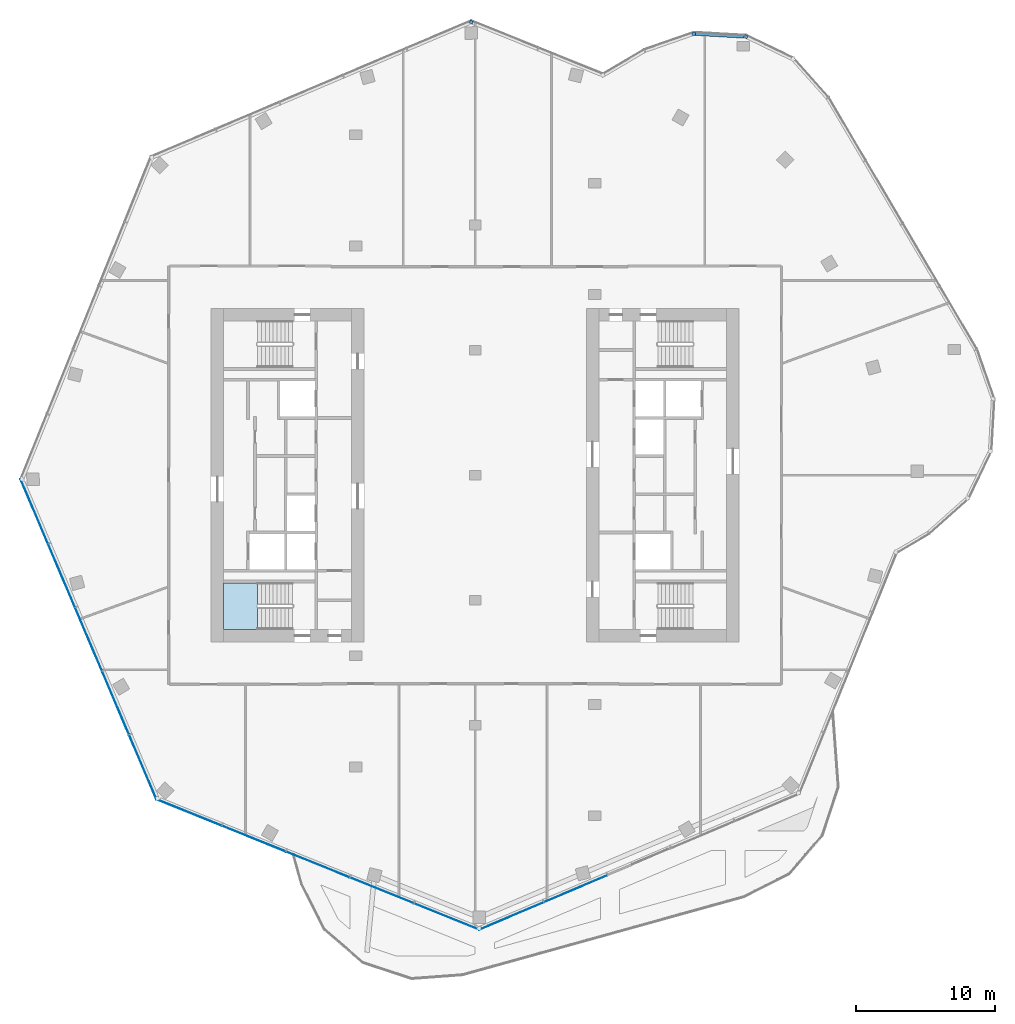
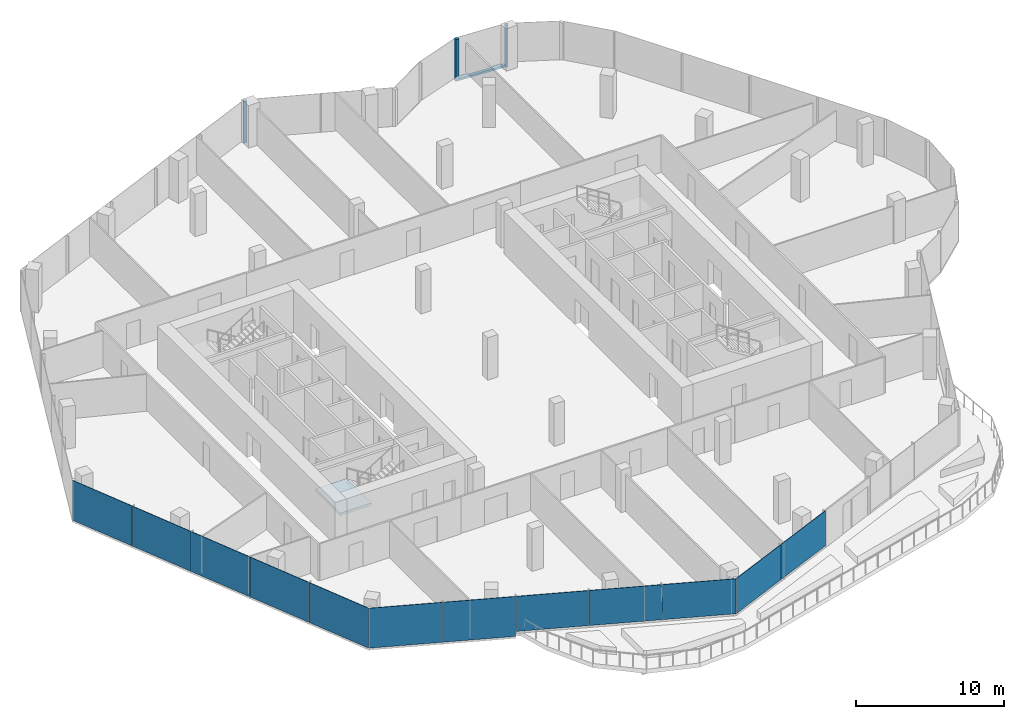
# One storey, part 10 of 17: 12 plates, 4 members, 1 slab, 7 elements without a shape of their own.
"""IFC4 building model written with IfcOpenShell, lengths in metres."""

from ifc_helpers import new_model, si_unit, direction, frame, origin, origin_2d, place, context, subcontext, project, spatial, polyline, rectangle, outline, extrude, material, layer, layer_set, material_profile, profile_set, type_object, element, aggregate, save


model = new_model("IFC4")

# Units and contexts
model_context = context("Model", 3, precision=1e-05, world=origin(), true_north=direction((0.0, 1.0)))
body_context = subcontext(model_context, "Body", "Model", "MODEL_VIEW")
ifc_project = project(units=[si_unit("LENGTHUNIT", "METRE"), si_unit("AREAUNIT", "SQUARE_METRE"), si_unit("VOLUMEUNIT", "CUBIC_METRE"), si_unit("PLANEANGLEUNIT", "RADIAN"), si_unit("MASSUNIT", "GRAM", prefix="KILO")], contexts=[model_context])

# Site, building, storey
site_placement = place(None, origin())
site = spatial("IfcSite", under=ifc_project, at=site_placement, CompositionType="ELEMENT")
building_placement = place(site_placement, origin())
building = spatial("IfcBuilding", under=site, at=building_placement, Name="Orlundy Tower", CompositionType="ELEMENT")
storey_placement = place(building_placement, frame((0.0, 0.0, 296.39990234375)))
storey = spatial("IfcBuildingStorey", under=building, at=storey_placement, Name="L79", CompositionType="ELEMENT", Elevation=296.39990234375)

# Curtain wall, member
ifc_material_1 = material(Name="Aluminium bronze anodised", Category="aluminium")
curtain_wall_type = type_object("IfcCurtainWallType", Name="CW6 wall", PredefinedType="NOTDEFINED", material=ifc_material_1)
curtain_wall_1_placement = place(storey_placement, origin())
curtain_wall_1 = element("IfcCurtainWall", 1, at=curtain_wall_1_placement, inside=storey, type_object=curtain_wall_type, Name="CW6 run 07", PredefinedType="NOTDEFINED")
ifc_material_2 = material(Name="Aluminium bronze anodised", Category="aluminium")
ifc_material_profile_1 = material_profile(ifc_material_2, rectangle(XDim=0.239990234375, YDim=0.239990234375, at=origin_2d()), Name="CW6 corner post 240x240")
ifc_profile_set_1 = profile_set([ifc_material_profile_1], Name="Aluminium bronze anodised")
member_type_1 = type_object("IfcMemberType", Name="CW6 corner post 240x240", PredefinedType="MULLION", material=ifc_profile_set_1)
member_1_placement = place(storey_placement, frame((-0.2841796875, 32.600830078125, -0.39990234375), z_axis=(0.0, 0.0, 1.0), x_axis=(0.374639101319, 0.927170719858, 0.0)))
member_1 = element("IfcMember", 2, at=member_1_placement, type_object=member_type_1, Name="CW6 mullion 31", PredefinedType="MULLION", context=body_context, shape_type="SweptSolid", body=[
    extrude(rectangle(XDim=0.239990234375, YDim=0.239990234375, at=origin_2d()), origin(), (0.0, 0.0, 1.0), 3.449951171875),
])
aggregate(curtain_wall_1, [member_1])

curtain_wall_2_placement = place(storey_placement, origin())
curtain_wall_2 = element("IfcCurtainWall", 3, at=curtain_wall_2_placement, inside=storey, type_object=curtain_wall_type, Name="CW6 run 010", PredefinedType="NOTDEFINED")
member_2_placement = place(storey_placement, frame((15.73388671875, 31.772216796875, -0.39990234375), z_axis=(0.0, 0.0, 1.0), x_axis=(0.056650299193, 0.998394082315, 0.0)))
member_2 = element("IfcMember", 4, at=member_2_placement, type_object=member_type_1, Name="CW6 mullion 35", PredefinedType="MULLION", context=body_context, shape_type="SweptSolid", body=[
    extrude(rectangle(XDim=0.239990234375, YDim=0.239990234375, at=origin_2d()), origin(), (0.0, 0.0, 1.0), 3.449951171875),
])

curtain_wall_3_placement = place(storey_placement, origin())
curtain_wall_3 = element("IfcCurtainWall", 5, at=curtain_wall_3_placement, inside=storey, type_object=curtain_wall_type, Name="CW6 run 011", PredefinedType="NOTDEFINED")
member_3_placement = place(storey_placement, frame((19.482666015625, 31.5595703125, -0.39990234375), z_axis=(0.0, 0.0, 1.0), x_axis=(0.434650977101, 0.900598982958, 0.0)))
member_3 = element("IfcMember", 6, at=member_3_placement, type_object=member_type_1, Name="CW6 mullion 36", PredefinedType="MULLION", context=body_context, shape_type="SweptSolid", body=[
    extrude(rectangle(XDim=0.239990234375, YDim=0.239990234375, at=origin_2d()), origin(), (0.0, 0.0, 1.0), 3.449951171875),
])
aggregate(curtain_wall_3, [member_3])

# Member
ifc_material_3 = material(Name="Aluminium bronze anodised", Category="aluminium")
ifc_material_profile_2 = material_profile(ifc_material_3, rectangle(XDim=0.239990234375, YDim=0.159912109375, at=origin_2d()), Name="CW6 transom 240x160")
ifc_profile_set_2 = profile_set([ifc_material_profile_2], Name="Aluminium bronze anodised")
member_type_2 = type_object("IfcMemberType", Name="CW6 transom 240x160", PredefinedType="USERDEFINED", material=ifc_profile_set_2)
member_4_placement = place(storey_placement, frame((15.853759765625, 31.765380859375, -0.31982421875), z_axis=(0.998395164741, -0.056631219489, 0.0), x_axis=(0.056631219489, 0.998395164741, 0.0)))
member_4 = element("IfcMember", 7, at=member_4_placement, type_object=member_type_2, Name="CW6 transom", ObjectType="TRANSOM", PredefinedType="USERDEFINED", context=body_context, shape_type="SweptSolid", body=[
    extrude(rectangle(XDim=0.239990234375, YDim=0.159912109375, at=origin_2d()), origin(), (0.0, 0.0, 1.0), 3.5048828125),
])

aggregate(curtain_wall_2, [member_2, member_4])

# Curtain wall, plates
curtain_wall_4_placement = place(storey_placement, origin())
curtain_wall_4 = element("IfcCurtainWall", 8, at=curtain_wall_4_placement, inside=storey, type_object=curtain_wall_type, Name="CW6 run 02", PredefinedType="NOTDEFINED")
ifc_material_4 = material(Name="Tinted glass", Category="glass")
ifc_layer_1 = layer(ifc_material_4, 0.035888671875)
ifc_layer_set_1 = layer_set([ifc_layer_1], Name="CW6 glass panel 36")
plate_type = type_object("IfcPlateType", Name="CW6 glass panel 36", PredefinedType="CURTAIN_PANEL", material=ifc_layer_set_1)
plate_1_placement = place(storey_placement, frame((7.233154296875, -29.761962890625, 0.16015625), z_axis=(0.0, 0.0, 1.0), x_axis=(-0.920506804854, -0.390726531244, 0.0)))
plate_1 = element("IfcPlate", 9, at=plate_1_placement, type_object=plate_type, Name="CW6 panel", PredefinedType="CURTAIN_PANEL", context=body_context, shape_type="SweptSolid", body=[
    extrude(rectangle(XDim=4.920654296875, YDim=0.035888671875, at=origin_2d()), origin(), (0.0, 0.0, 1.0), 2.889892578125),
])
plate_2_placement = place(storey_placement, frame((2.603759765625, -31.72705078125, 0.16015625), z_axis=(0.0, 0.0, 1.0), x_axis=(-0.920506804854, -0.390726531244, 0.0)))
plate_2 = element("IfcPlate", 10, at=plate_2_placement, type_object=plate_type, Name="CW6 panel", PredefinedType="CURTAIN_PANEL", context=body_context, shape_type="SweptSolid", body=[
    extrude(rectangle(XDim=5.03759765625, YDim=0.035888671875, at=origin_2d()), origin(), (0.0, 0.0, 1.0), 2.889892578125),
])
aggregate(curtain_wall_4, [plate_1, plate_2])

curtain_wall_5_placement = place(storey_placement, origin())
curtain_wall_5 = element("IfcCurtainWall", 11, at=curtain_wall_5_placement, inside=storey, type_object=curtain_wall_type, Name="CW6 run 03", PredefinedType="NOTDEFINED")
plate_3_placement = place(storey_placement, frame((-2.05029296875, -31.767822265625, 0.16015625), z_axis=(0.0, 0.0, 1.0), x_axis=(-0.927183523653, 0.374607412456, 0.0)))
plate_3 = element("IfcPlate", 12, at=plate_3_placement, type_object=plate_type, Name="CW6 panel", PredefinedType="CURTAIN_PANEL", context=body_context, shape_type="SweptSolid", body=[
    extrude(rectangle(XDim=5.03759765625, YDim=0.035888671875, at=origin_2d()), origin(), (0.0, 0.0, 1.0), 2.889892578125),
])
plate_4_placement = place(storey_placement, frame((-6.713134765625, -29.8837890625, 0.16015625), z_axis=(0.0, 0.0, 1.0), x_axis=(-0.927183523653, 0.374607412456, 0.0)))
plate_4 = element("IfcPlate", 13, at=plate_4_placement, type_object=plate_type, Name="CW6 panel", PredefinedType="CURTAIN_PANEL", context=body_context, shape_type="SweptSolid", body=[
    extrude(rectangle(XDim=4.920654296875, YDim=0.035888671875, at=origin_2d()), origin(), (0.0, 0.0, 1.0), 2.889892578125),
])
plate_5_placement = place(storey_placement, frame((-11.32177734375, -28.021728515625, 0.16015625), z_axis=(0.0, 0.0, 1.0), x_axis=(-0.927183523653, 0.374607412456, 0.0)))
plate_5 = element("IfcPlate", 14, at=plate_5_placement, type_object=plate_type, Name="CW6 panel", PredefinedType="CURTAIN_PANEL", context=body_context, shape_type="SweptSolid", body=[
    extrude(rectangle(XDim=4.920654296875, YDim=0.035888671875, at=origin_2d()), origin(), (0.0, 0.0, 1.0), 2.889892578125),
])
plate_6_placement = place(storey_placement, frame((-15.93017578125, -26.159912109375, -0.239990234375), z_axis=(0.0, 0.0, 1.0), x_axis=(-0.927183523653, 0.374607412456, 0.0)))
plate_6 = element("IfcPlate", 15, at=plate_6_placement, type_object=plate_type, Name="CW6 panel", PredefinedType="CURTAIN_PANEL", context=body_context, shape_type="SweptSolid", body=[
    extrude(rectangle(XDim=4.920654296875, YDim=0.035888671875, at=origin_2d()), origin(), (0.0, 0.0, 1.0), 3.2900390625),
])
plate_7_placement = place(storey_placement, frame((-20.593017578125, -24.27587890625, -0.239990234375), z_axis=(0.0, 0.0, 1.0), x_axis=(-0.927183523653, 0.374607412456, 0.0)))
plate_7 = element("IfcPlate", 16, at=plate_7_placement, type_object=plate_type, Name="CW6 panel", PredefinedType="CURTAIN_PANEL", context=body_context, shape_type="SweptSolid", body=[
    extrude(rectangle(XDim=5.03759765625, YDim=0.035888671875, at=origin_2d()), origin(), (0.0, 0.0, 1.0), 3.2900390625),
])
aggregate(curtain_wall_5, [plate_3, plate_4, plate_5, plate_6, plate_7])

curtain_wall_6_placement = place(storey_placement, origin())
curtain_wall_6 = element("IfcCurtainWall", 17, at=curtain_wall_6_placement, inside=storey, type_object=curtain_wall_type, Name="CW6 run 04", PredefinedType="NOTDEFINED")
plate_8_placement = place(storey_placement, frame((-23.91259765625, -21.013671875, -0.239990234375), z_axis=(0.0, 0.0, 1.0), x_axis=(-0.390726531244, 0.920506804854, 0.0)))
plate_8 = element("IfcPlate", 18, at=plate_8_placement, type_object=plate_type, Name="CW6 panel", PredefinedType="CURTAIN_PANEL", context=body_context, shape_type="SweptSolid", body=[
    extrude(rectangle(XDim=5.03759765625, YDim=0.035888671875, at=origin_2d()), origin(), (0.0, 0.0, 1.0), 3.2900390625),
])
plate_9_placement = place(storey_placement, frame((-25.877685546875, -16.38427734375, -0.239990234375), z_axis=(0.0, 0.0, 1.0), x_axis=(-0.390726531244, 0.920506804854, 0.0)))
plate_9 = element("IfcPlate", 19, at=plate_9_placement, type_object=plate_type, Name="CW6 panel", PredefinedType="CURTAIN_PANEL", context=body_context, shape_type="SweptSolid", body=[
    extrude(rectangle(XDim=4.920654296875, YDim=0.035888671875, at=origin_2d()), origin(), (0.0, 0.0, 1.0), 3.2900390625),
])
plate_10_placement = place(storey_placement, frame((-27.81982421875, -11.808837890625, -0.239990234375), z_axis=(0.0, 0.0, 1.0), x_axis=(-0.390726531244, 0.920506804854, 0.0)))
plate_10 = element("IfcPlate", 20, at=plate_10_placement, type_object=plate_type, Name="CW6 panel", PredefinedType="CURTAIN_PANEL", context=body_context, shape_type="SweptSolid", body=[
    extrude(rectangle(XDim=4.920654296875, YDim=0.035888671875, at=origin_2d()), origin(), (0.0, 0.0, 1.0), 3.2900390625),
])
plate_11_placement = place(storey_placement, frame((-29.761962890625, -7.233154296875, -0.239990234375), z_axis=(0.0, 0.0, 1.0), x_axis=(-0.390726531244, 0.920506804854, 0.0)))
plate_11 = element("IfcPlate", 21, at=plate_11_placement, type_object=plate_type, Name="CW6 panel", PredefinedType="CURTAIN_PANEL", context=body_context, shape_type="SweptSolid", body=[
    extrude(rectangle(XDim=4.920654296875, YDim=0.035888671875, at=origin_2d()), origin(), (0.0, 0.0, 1.0), 3.2900390625),
])
plate_12_placement = place(storey_placement, frame((-31.72705078125, -2.603759765625, -0.239990234375), z_axis=(0.0, 0.0, 1.0), x_axis=(-0.390726531244, 0.920506804854, 0.0)))
plate_12 = element("IfcPlate", 22, at=plate_12_placement, type_object=plate_type, Name="CW6 panel", PredefinedType="CURTAIN_PANEL", context=body_context, shape_type="SweptSolid", body=[
    extrude(rectangle(XDim=5.03759765625, YDim=0.035888671875, at=origin_2d()), origin(), (0.0, 0.0, 1.0), 3.2900390625),
])
aggregate(curtain_wall_6, [plate_8, plate_9, plate_10, plate_11, plate_12])

# Stair, slab
ifc_material_5 = material(Name="Concrete C50/60", Category="concrete")
stair_type = type_object("IfcStairType", Name="Exit Stair 20 risers", PredefinedType="HALF_TURN_STAIR", material=ifc_material_5)
stair_placement = place(storey_placement, origin())
stair = element("IfcStair", 23, at=stair_placement, inside=storey, type_object=stair_type, Name="L79 Exit Stair ST-W2", PredefinedType="HALF_TURN_STAIR")
ifc_material_6 = material(Name="Concrete C50/60", Category="concrete")
ifc_layer_2 = layer(ifc_material_6, 0.199951171875)
ifc_layer_set_2 = layer_set([ifc_layer_2], Name="Exit Stair Landing")
slab_type = type_object("IfcSlabType", Name="Exit Stair Landing", PredefinedType="LANDING", material=ifc_layer_set_2)
slab_placement = place(storey_placement, frame((0.0, 0.0, 1.550048828125)))
slab = element("IfcSlab", 24, at=slab_placement, type_object=slab_type, Name="ST-W2 landing 1", PredefinedType="LANDING", context=body_context, shape_type="SweptSolid", body=[
    extrude(outline(polyline([(-15.659912109375, -7.75), (-18.10009765625, -7.75), (-18.10009765625, -11.10009765625), (-15.659912109375, -11.10009765625), (-15.659912109375, -7.75)])), origin(), (0.0, 0.0, 1.0), 0.199951171875),
])
aggregate(stair, [slab])

save(model, "model.ifc")
